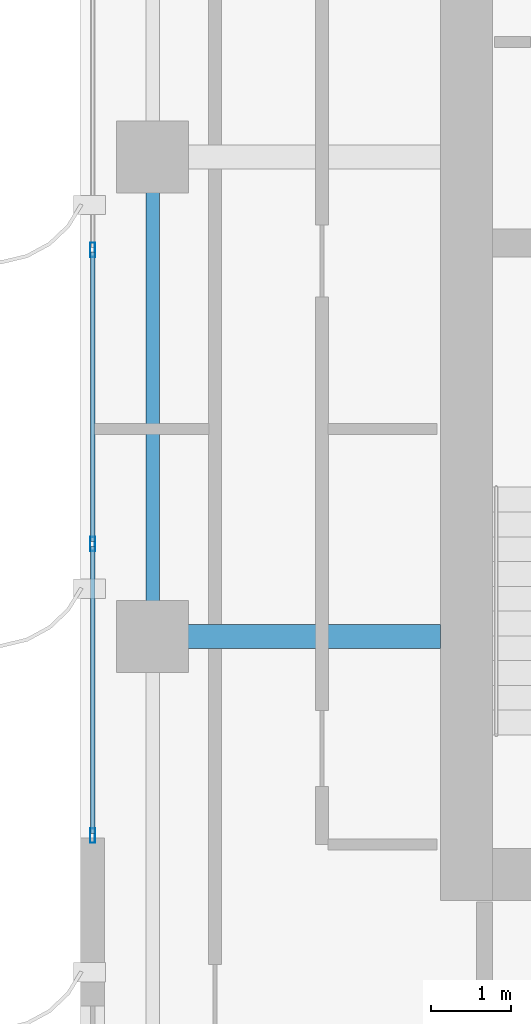
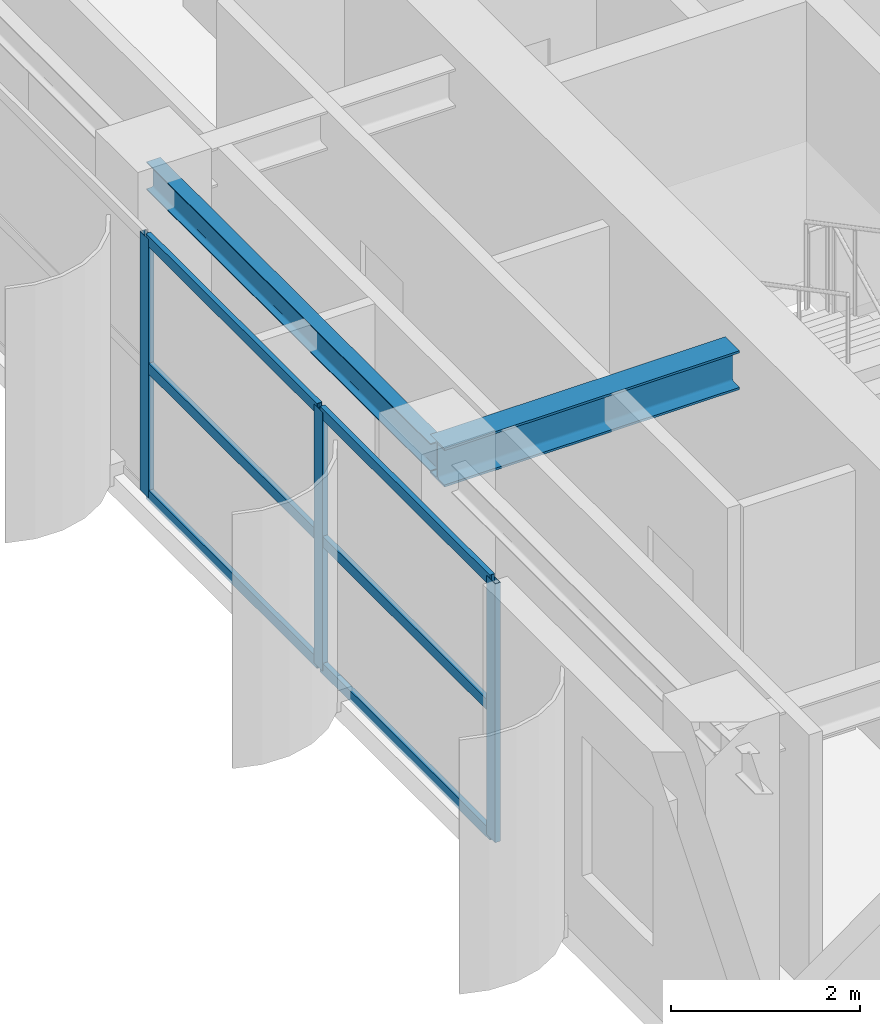
# One storey, part 6 of 22: 9 members, 2 beams, 1 element without a shape of its own.
"""IFC4 building model written with IfcOpenShell, lengths in metres."""

from ifc_helpers import new_model, si_unit, direction, frame, origin, origin_2d, place, context, subcontext, project, spatial, hollow_rectangle, i_section, extrude, source, transform, mapped, material, layer, layer_set, material_profile, profile_set, type_object, element, aggregate, save


model = new_model("IFC4")

# Units and contexts
model_context = context("Model", 3, precision=1e-05, world=origin(), true_north=direction((0.0, 1.0)))
body_context = subcontext(model_context, "Body", "Model", "MODEL_VIEW")
ifc_project = project(units=[si_unit("LENGTHUNIT", "METRE"), si_unit("AREAUNIT", "SQUARE_METRE"), si_unit("VOLUMEUNIT", "CUBIC_METRE"), si_unit("PLANEANGLEUNIT", "RADIAN"), si_unit("MASSUNIT", "GRAM", prefix="KILO")], contexts=[model_context])

# Site, building, storey
site_placement = place(None, origin())
site = spatial("IfcSite", under=ifc_project, at=site_placement, CompositionType="ELEMENT")
building_placement = place(site_placement, origin())
building = spatial("IfcBuilding", under=site, at=building_placement, Name="Khoralis Quay Care Tower", CompositionType="ELEMENT")
storey_placement = place(building_placement, frame((0.0, 0.0, 202.5)))
storey = spatial("IfcBuildingStorey", under=building, at=storey_placement, Name="L53", CompositionType="ELEMENT", Elevation=202.5)

# Beams
ifc_material_1 = material(Name="Steel S355", Category="steel")
ifc_material_profile_1 = material_profile(ifc_material_1, i_section(OverallWidth=0.169921875, OverallDepth=0.360107421875, WebThickness=0.008056640625, FlangeThickness=0.0126953125, FilletRadius=0.01806640625, at=origin_2d()), Name="Steel S355")
ifc_profile_set_1 = profile_set([ifc_material_profile_1], Name="Steel S355")
beam_type_1 = type_object("IfcBeamType", Name="BM-IPE360", PredefinedType="SPANDREL", material=ifc_profile_set_1)
shared_shape_1 = source(origin(), body_context, "Body", "SweptSolid", [
    extrude(i_section(OverallWidth=0.169921875, OverallDepth=0.360107421875, WebThickness=0.008056640625, FlangeThickness=0.0126953125, FilletRadius=0.01806640625, at=origin_2d()), origin(), (0.0, 0.0, 1.0), 6.0),
])
beam_1_placement = place(storey_placement, frame((3.89990234375, 18.0, 3.159912109375), z_axis=(0.0, 1.0, 0.0), x_axis=(-1.0, 0.0, 0.0)))
element("IfcBeam", 1, at=beam_1_placement, inside=storey, type_object=beam_type_1, Name="BM-TSP-L53-07", PredefinedType="SPANDREL", context=body_context, shape_type="MappedRepresentation", body=[
    mapped(shared_shape_1, transform((0.0, 0.0, 0.0), scale=1.0)),
])
ifc_material_profile_2 = material_profile(ifc_material_1, i_section(OverallWidth=0.300048828125, OverallDepth=0.5, WebThickness=0.014404296875, FlangeThickness=0.028076171875, FilletRadius=0.027099609375, at=origin_2d()), Name="Steel S355")
ifc_profile_set_2 = profile_set([ifc_material_profile_2], Name="Steel S355")
beam_type_2 = type_object("IfcBeamType", Name="BM-HEB500", PredefinedType="BEAM", material=ifc_profile_set_2)
shared_shape_2 = source(origin(), body_context, "Body", "SweptSolid", [
    extrude(i_section(OverallWidth=0.300048828125, OverallDepth=0.5, WebThickness=0.014404296875, FlangeThickness=0.028076171875, FilletRadius=0.027099609375, at=origin_2d()), origin(), (0.0, 0.0, 1.0), 3.60205078125),
])
beam_2_placement = place(storey_placement, frame((3.89990234375, 18.0, 3.090087890625), z_axis=(1.0, 0.0, 0.0), x_axis=(0.0, 1.0, 0.0)))
element("IfcBeam", 2, at=beam_2_placement, inside=storey, type_object=beam_type_2, Name="BM-TGXW-L53-180", PredefinedType="BEAM", context=body_context, shape_type="MappedRepresentation", body=[
    mapped(shared_shape_2, transform((0.0, 0.0, 0.0), scale=1.0)),
])

# Curtain wall, members
ifc_material_2 = material(Name="Pale anodised aluminium", Category="aluminium")
ifc_layer = layer(ifc_material_2, 0.159912109375)
ifc_layer_set = layer_set([ifc_layer], Name="Pale anodised aluminium")
curtain_wall_type = type_object("IfcCurtainWallType", Name="CW-SYS-Z3", PredefinedType="NOTDEFINED", material=ifc_layer_set)
curtain_wall_placement = place(storey_placement, origin())
curtain_wall = element("IfcCurtainWall", 3, at=curtain_wall_placement, inside=storey, type_object=curtain_wall_type, Name="L53 Unitised Curtain Wall CW-L53-P1-E7", PredefinedType="NOTDEFINED")
ifc_material_profile_3 = material_profile(ifc_material_2, hollow_rectangle(XDim=0.06494140625, YDim=0.179931640625, WallThickness=0.00390625, at=origin_2d()), Name="Pale anodised aluminium")
ifc_profile_set_3 = profile_set([ifc_material_profile_3], Name="Pale anodised aluminium")
member_type_1 = type_object("IfcMemberType", Name="CW-MUL-180", PredefinedType="MULLION", material=ifc_profile_set_3)
shared_shape_3 = source(origin(), body_context, "Body", "SweptSolid", [
    extrude(hollow_rectangle(XDim=0.06494140625, YDim=0.179931640625, WallThickness=0.00390625, at=origin_2d()), origin(), (0.0, 0.0, 1.0), 3.340087890625),
])
member_1_placement = place(storey_placement, frame((3.14990234375, 22.840087890625, 0.0), z_axis=(0.0, 0.0, 1.0), x_axis=(1.0, 0.0, 0.0)))
member_1 = element("IfcMember", 4, at=member_1_placement, type_object=member_type_1, Name="CW3 mullion 2", PredefinedType="MULLION", context=body_context, shape_type="MappedRepresentation", body=[
    mapped(shared_shape_3, transform((0.0, 0.0, 0.0), scale=1.0)),
])
member_2_placement = place(storey_placement, frame((3.14990234375, 19.159912109375, 0.0), z_axis=(0.0, 0.0, 1.0), x_axis=(1.0, 0.0, 0.0)))
member_2 = element("IfcMember", 5, at=member_2_placement, type_object=member_type_1, Name="CW3 mullion 3", PredefinedType="MULLION", context=body_context, shape_type="MappedRepresentation", body=[
    mapped(shared_shape_3, transform((0.0, 0.0, 0.0), scale=1.0)),
])
member_3_placement = place(storey_placement, frame((3.14990234375, 15.510009765625, 0.0), z_axis=(0.0, 0.0, 1.0), x_axis=(1.0, 0.0, 0.0)))
member_3 = element("IfcMember", 6, at=member_3_placement, type_object=member_type_1, Name="CW3 mullion 4", PredefinedType="MULLION", context=body_context, shape_type="MappedRepresentation", body=[
    mapped(shared_shape_3, transform((0.0, 0.0, 0.0), scale=1.0)),
])
ifc_material_profile_4 = material_profile(ifc_material_2, hollow_rectangle(XDim=0.06005859375, YDim=0.139892578125, WallThickness=0.00390625, at=origin_2d()), Name="Pale anodised aluminium")
ifc_profile_set_4 = profile_set([ifc_material_profile_4], Name="Pale anodised aluminium")
member_type_2 = type_object("IfcMemberType", Name="CW-TRN-140", PredefinedType="USERDEFINED", material=ifc_profile_set_4)
shared_shape_4 = source(origin(), body_context, "Body", "SweptSolid", [
    extrude(hollow_rectangle(XDim=0.06005859375, YDim=0.139892578125, WallThickness=0.00390625, at=origin_2d()), origin(), (0.0, 0.0, 1.0), 3.58984375),
])
member_4_placement = place(storey_placement, frame((3.14990234375, 19.1298828125, 0.030029296875), z_axis=(0.0, -1.0, 0.0), x_axis=(1.0, 0.0, 0.0)))
member_4 = element("IfcMember", 7, at=member_4_placement, type_object=member_type_2, Name="CW3 transom 3.1", ObjectType="TRANSOM", PredefinedType="USERDEFINED", context=body_context, shape_type="MappedRepresentation", body=[
    mapped(shared_shape_4, transform((0.0, 0.0, 0.0), scale=1.0)),
])
member_5_placement = place(storey_placement, frame((3.14990234375, 19.1298828125, 1.669921875), z_axis=(0.0, -1.0, 0.0), x_axis=(1.0, 0.0, 0.0)))
member_5 = element("IfcMember", 8, at=member_5_placement, type_object=member_type_2, Name="CW3 transom 3.2", ObjectType="TRANSOM", PredefinedType="USERDEFINED", context=body_context, shape_type="MappedRepresentation", body=[
    mapped(shared_shape_4, transform((0.0, 0.0, 0.0), scale=1.0)),
])
member_6_placement = place(storey_placement, frame((3.14990234375, 19.1298828125, 3.31005859375), z_axis=(0.0, -1.0, 0.0), x_axis=(1.0, 0.0, 0.0)))
member_6 = element("IfcMember", 9, at=member_6_placement, type_object=member_type_2, Name="CW3 transom 3.3", ObjectType="TRANSOM", PredefinedType="USERDEFINED", context=body_context, shape_type="MappedRepresentation", body=[
    mapped(shared_shape_4, transform((0.0, 0.0, 0.0), scale=1.0)),
])
shared_shape_5 = source(origin(), body_context, "Body", "SweptSolid", [
    extrude(hollow_rectangle(XDim=0.06005859375, YDim=0.139892578125, WallThickness=0.00390625, at=origin_2d()), origin(), (0.0, 0.0, 1.0), 3.6201171875),
])
member_7_placement = place(storey_placement, frame((3.14990234375, 22.81005859375, 0.030029296875), z_axis=(0.0, -1.0, 0.0), x_axis=(1.0, 0.0, 0.0)))
member_7 = element("IfcMember", 10, at=member_7_placement, type_object=member_type_2, Name="CW3 transom 2.1", ObjectType="TRANSOM", PredefinedType="USERDEFINED", context=body_context, shape_type="MappedRepresentation", body=[
    mapped(shared_shape_5, transform((0.0, 0.0, 0.0), scale=1.0)),
])
member_8_placement = place(storey_placement, frame((3.14990234375, 22.81005859375, 1.669921875), z_axis=(0.0, -1.0, 0.0), x_axis=(1.0, 0.0, 0.0)))
member_8 = element("IfcMember", 11, at=member_8_placement, type_object=member_type_2, Name="CW3 transom 2.2", ObjectType="TRANSOM", PredefinedType="USERDEFINED", context=body_context, shape_type="MappedRepresentation", body=[
    mapped(shared_shape_5, transform((0.0, 0.0, 0.0), scale=1.0)),
])
member_9_placement = place(storey_placement, frame((3.14990234375, 22.81005859375, 3.31005859375), z_axis=(0.0, -1.0, 0.0), x_axis=(1.0, 0.0, 0.0)))
member_9 = element("IfcMember", 12, at=member_9_placement, type_object=member_type_2, Name="CW3 transom 2.3", ObjectType="TRANSOM", PredefinedType="USERDEFINED", context=body_context, shape_type="MappedRepresentation", body=[
    mapped(shared_shape_5, transform((0.0, 0.0, 0.0), scale=1.0)),
])
aggregate(curtain_wall, [member_1, member_2, member_3, member_7, member_8, member_9, member_4, member_5, member_6])

save(model, "model.ifc")
